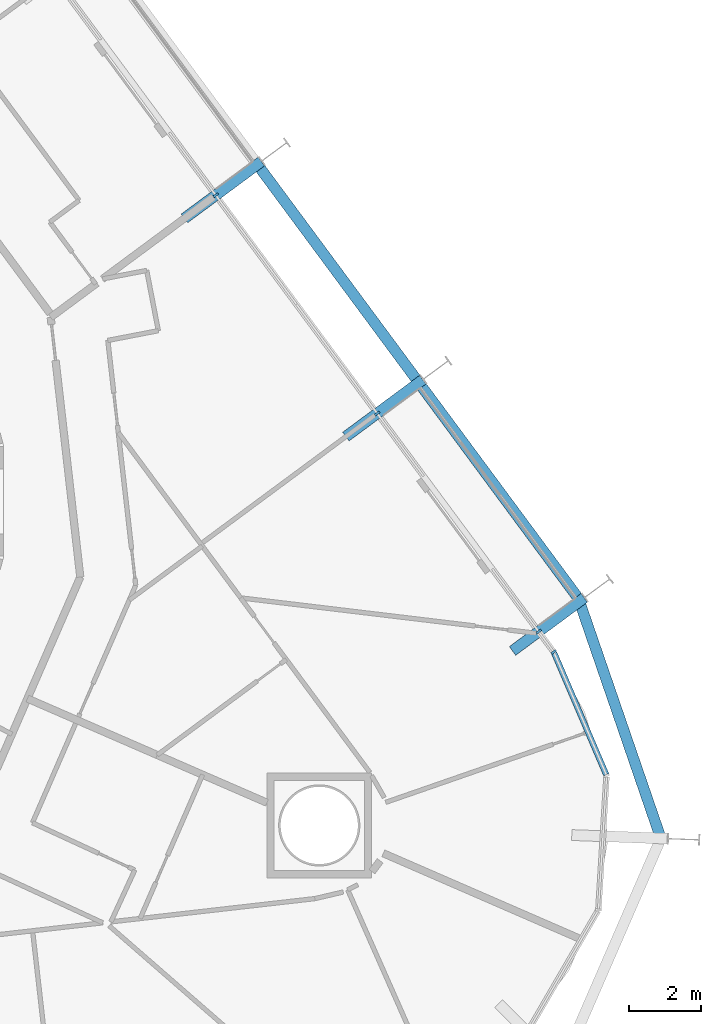
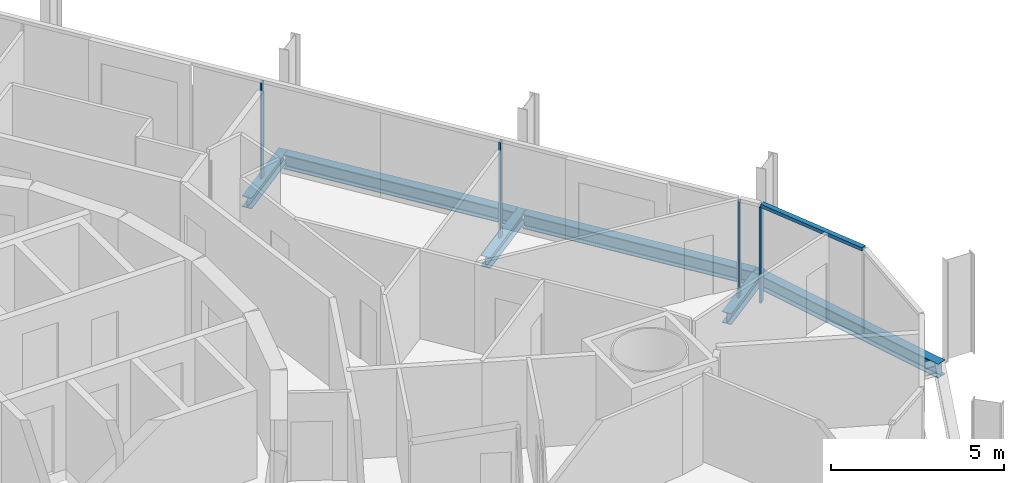
# One storey, part 8 of 24: 6 beams, 5 members, 2 elements without a shape of their own.
"""IFC4 building model written with IfcOpenShell, lengths in metres."""

from ifc_helpers import new_model, si_unit, direction, frame, origin, origin_2d, place, context, subcontext, project, spatial, rectangle, i_section, extrude, material, layer, layer_set, material_profile, profile_set, type_object, element, aggregate, save


model = new_model("IFC4")

# Units and contexts
model_context = context("Model", 3, precision=1e-05, world=origin(), true_north=direction((0.0, 1.0)))
body_context = subcontext(model_context, "Body", "Model", "MODEL_VIEW")
ifc_project = project(units=[si_unit("LENGTHUNIT", "METRE"), si_unit("AREAUNIT", "SQUARE_METRE"), si_unit("VOLUMEUNIT", "CUBIC_METRE"), si_unit("PLANEANGLEUNIT", "RADIAN"), si_unit("MASSUNIT", "GRAM", prefix="KILO")], contexts=[model_context])

# Site, building, storey
site_placement = place(None, origin())
site = spatial("IfcSite", under=ifc_project, at=site_placement, CompositionType="ELEMENT")
building_placement = place(site_placement, origin())
building = spatial("IfcBuilding", under=site, at=building_placement, Name="Spindle Arch Residences", CompositionType="ELEMENT")
storey_placement = place(building_placement, frame((0.0, 0.0, 87.199951171875)))
storey = spatial("IfcBuildingStorey", under=building, at=storey_placement, Name="L20", CompositionType="ELEMENT", Elevation=87.199951171875)

# Curtain wall, member
ifc_material_1 = material(Name="Aluminium bronze unitised frame with tinted glass", Category="aluminium")
ifc_layer_1 = layer(ifc_material_1, 0.159912109375)
ifc_layer_set_1 = layer_set([ifc_layer_1], Name="CW-D corner wall on the fillet arcs")
curtain_wall_type_1 = type_object("IfcCurtainWallType", Name="CW-D corner wall on the fillet arcs", PredefinedType="NOTDEFINED", material=ifc_layer_set_1)
curtain_wall_1_placement = place(storey_placement, origin())
curtain_wall_1 = element("IfcCurtainWall", 1, at=curtain_wall_1_placement, inside=storey, type_object=curtain_wall_type_1, Name="CW-D L20 run 1", PredefinedType="NOTDEFINED")
ifc_material_2 = material(Name="Aluminium bronze anodised mullion", Category="aluminium")
ifc_material_profile_1 = material_profile(ifc_material_2, rectangle(XDim=0.159912109375, YDim=0.06005859375, at=origin_2d()), Name="MU 60x160")
ifc_profile_set_1 = profile_set([ifc_material_profile_1], Name="Aluminium bronze anodised mullion")
member_type_1 = type_object("IfcMemberType", Name="Bronze mullion 60x160", PredefinedType="MULLION", material=ifc_profile_set_1)
member_1_placement = place(storey_placement, frame((27.142822265625, -4.171630859375, -0.3798828125), z_axis=(0.0, 0.0, 1.0), x_axis=(-0.803856860617, -0.594822786751, 0.0)))
member_1 = element("IfcMember", 2, at=member_1_placement, type_object=member_type_1, Name="CW-D mullion 05", PredefinedType="MULLION", context=body_context, shape_type="SweptSolid", body=[
    extrude(rectangle(XDim=0.159912109375, YDim=0.06005859375, at=origin_2d()), origin(), (0.0, 0.0, 1.0), 3.3798828125),
])

# Curtain wall, members
ifc_material_3 = material(Name="Aluminium bronze unitised frame with tinted glass", Category="aluminium")
ifc_layer_2 = layer(ifc_material_3, 0.159912109375)
ifc_layer_set_2 = layer_set([ifc_layer_2], Name="CW-C typical residential unitised wall")
curtain_wall_type_2 = type_object("IfcCurtainWallType", Name="CW-C typical residential unitised wall", PredefinedType="NOTDEFINED", material=ifc_layer_set_2)
curtain_wall_2_placement = place(storey_placement, origin())
curtain_wall_2 = element("IfcCurtainWall", 3, at=curtain_wall_2_placement, inside=storey, type_object=curtain_wall_type_2, Name="CW-C L20 run 2", PredefinedType="NOTDEFINED")
member_2_placement = place(storey_placement, frame((26.7255859375, -3.607666015625, -0.3798828125), z_axis=(0.0, 0.0, 1.0), x_axis=(-0.803856860617, -0.594822786751, 0.0)))
member_2 = element("IfcMember", 4, at=member_2_placement, type_object=member_type_1, Name="CW-C mullion 05", PredefinedType="MULLION", context=body_context, shape_type="SweptSolid", body=[
    extrude(rectangle(XDim=0.159912109375, YDim=0.06005859375, at=origin_2d()), origin(), (0.0, 0.0, 1.0), 3.3798828125),
])
member_3_placement = place(storey_placement, frame((22.253173828125, 2.436279296875, -0.3798828125), z_axis=(0.0, 0.0, 1.0), x_axis=(-0.803856860617, -0.594822786751, 0.0)))
member_3 = element("IfcMember", 5, at=member_3_placement, type_object=member_type_1, Name="CW-C mullion 06", PredefinedType="MULLION", context=body_context, shape_type="SweptSolid", body=[
    extrude(rectangle(XDim=0.159912109375, YDim=0.06005859375, at=origin_2d()), origin(), (0.0, 0.0, 1.0), 3.3798828125),
])
member_4_placement = place(storey_placement, frame((17.78076171875, 8.48046875, -0.3798828125), z_axis=(0.0, 0.0, 1.0), x_axis=(-0.803856860617, -0.594822786751, 0.0)))
member_4 = element("IfcMember", 6, at=member_4_placement, type_object=member_type_1, Name="CW-C mullion 07", PredefinedType="MULLION", context=body_context, shape_type="SweptSolid", body=[
    extrude(rectangle(XDim=0.159912109375, YDim=0.06005859375, at=origin_2d()), origin(), (0.0, 0.0, 1.0), 3.3798828125),
])
aggregate(curtain_wall_2, [member_2, member_3, member_4])

# Member
ifc_material_4 = material(Name="Aluminium bronze anodised transom", Category="aluminium")
ifc_material_profile_2 = material_profile(ifc_material_4, rectangle(XDim=0.159912109375, YDim=0.1201171875, at=origin_2d()), Name="TR 120x160")
ifc_profile_set_2 = profile_set([ifc_material_profile_2], Name="Aluminium bronze anodised transom")
member_type_2 = type_object("IfcMemberType", Name="Bronze transom 120x160", PredefinedType="USERDEFINED", material=ifc_profile_set_2)
member_5_placement = place(storey_placement, frame((28.59716796875, -7.5703125, 3.06005859375), z_axis=(-0.393429066236, 0.919354974882, 0.0), x_axis=(-0.919354974882, -0.393429066236, 0.0)))
member_5 = element("IfcMember", 7, at=member_5_placement, type_object=member_type_2, Name="CW-D transom 04", ObjectType="TRANSOM", PredefinedType="USERDEFINED", context=body_context, shape_type="SweptSolid", body=[
    extrude(rectangle(XDim=0.159912109375, YDim=0.1201171875, at=origin_2d()), origin(), (0.0, 0.0, 1.0), 3.666748046875),
])

aggregate(curtain_wall_1, [member_5, member_1])

# Beams
ifc_material_5 = material(Name="Steel S460ML, intumescent coating R 120", Category="steel")
ifc_material_profile_3 = material_profile(ifc_material_5, i_section(OverallWidth=0.300048828125, OverallDepth=0.5, WebThickness=0.014404296875, FlangeThickness=0.028076171875, FilletRadius=0.027099609375, at=origin_2d()), Name="HEB 500")
ifc_profile_set_3 = profile_set([ifc_material_profile_3], Name="Steel S460ML, intumescent coating R 120")
beam_type_1 = type_object("IfcBeamType", Name="Exoskeleton edge beam HEB 500", PredefinedType="BEAM", material=ifc_profile_set_3)
beam_1_placement = place(storey_placement, frame((30.13720703125, -9.4111328125, -0.6298828125), z_axis=(-0.325113431361, 0.94567502703, 0.0), x_axis=(-0.94567502703, -0.325113431361, 0.0)))
element("IfcBeam", 8, at=beam_1_placement, inside=storey, type_object=beam_type_1, Name="Exoskeleton edge beam 5", PredefinedType="BEAM", context=body_context, shape_type="SweptSolid", body=[
    extrude(i_section(OverallWidth=0.300048828125, OverallDepth=0.5, WebThickness=0.014404296875, FlangeThickness=0.028076171875, FilletRadius=0.027099609375, at=origin_2d()), origin(), (0.0, 0.0, 1.0), 7.09423828125),
])
for number, where, z_axis, x_axis, name in (
    (9, (27.800048828125, -2.65087890625, -0.6298828125), (-0.594821272041, 0.803857981441, 0.0), (-0.803857981441, -0.594821272041, 0.0), "Exoskeleton edge beam 6"),
    (10, (23.32763671875, 3.393310546875, -0.6298828125), (-0.594821272041, 0.803857981441, 0.0), (-0.803857981441, -0.594821272041, 0.0), "Exoskeleton edge beam 7"),
):
    element("IfcBeam", number, at=place(storey_placement, frame(where, z_axis=z_axis, x_axis=x_axis)), inside=storey, type_object=beam_type_1, Name=name, PredefinedType="BEAM", context=body_context, shape_type="SweptSolid", body=[
        extrude(i_section(OverallWidth=0.300048828125, OverallDepth=0.5, WebThickness=0.014404296875, FlangeThickness=0.028076171875, FilletRadius=0.027099609375, at=origin_2d()), origin(), (0.0, 0.0, 1.0), 7.2587890625),
    ])
ifc_material_6 = material(Name="Steel S460ML, intumescent coating R 120", Category="steel")
ifc_material_profile_4 = material_profile(ifc_material_6, i_section(OverallWidth=0.300048828125, OverallDepth=0.389892578125, WebThickness=0.010986328125, FlangeThickness=0.01904296875, FilletRadius=0.027099609375, at=origin_2d()), Name="HEA 400")
ifc_profile_set_4 = profile_set([ifc_material_profile_4], Name="Steel S460ML, intumescent coating R 120")
beam_type_2 = type_object("IfcBeamType", Name="Floor outrigger HEA 400", PredefinedType="BEAM", material=ifc_profile_set_4)
beam_2_placement = place(storey_placement, frame((27.987548828125, -2.673828125, -0.574951171875), z_axis=(-0.803824891941, -0.59486598751, 0.0), x_axis=(0.59486598751, -0.803824891941, 0.0)))
element("IfcBeam", 11, at=beam_2_placement, inside=storey, type_object=beam_type_2, Name="Floor outrigger 6", PredefinedType="BEAM", context=body_context, shape_type="SweptSolid", body=[
    extrude(i_section(OverallWidth=0.300048828125, OverallDepth=0.389892578125, WebThickness=0.010986328125, FlangeThickness=0.01904296875, FilletRadius=0.027099609375, at=origin_2d()), origin(), (0.0, 0.0, 1.0), 2.47119140625),
])
beam_3_placement = place(storey_placement, frame((23.51513671875, 3.3701171875, -0.574951171875), z_axis=(-0.803863925893, -0.59481323846, 0.0), x_axis=(0.59481323846, -0.803863925893, 0.0)))
element("IfcBeam", 12, at=beam_3_placement, inside=storey, type_object=beam_type_2, Name="Floor outrigger 7", PredefinedType="BEAM", context=body_context, shape_type="SweptSolid", body=[
    extrude(i_section(OverallWidth=0.300048828125, OverallDepth=0.389892578125, WebThickness=0.010986328125, FlangeThickness=0.01904296875, FilletRadius=0.027099609375, at=origin_2d()), origin(), (0.0, 0.0, 1.0), 2.64990234375),
])
beam_4_placement = place(storey_placement, frame((19.04296875, 9.414306640625, -0.574951171875), z_axis=(-0.80385247079, -0.594828719217, 0.0), x_axis=(0.594828719217, -0.80385247079, 0.0)))
element("IfcBeam", 13, at=beam_4_placement, inside=storey, type_object=beam_type_2, Name="Floor outrigger 8", PredefinedType="BEAM", context=body_context, shape_type="SweptSolid", body=[
    extrude(i_section(OverallWidth=0.300048828125, OverallDepth=0.389892578125, WebThickness=0.010986328125, FlangeThickness=0.01904296875, FilletRadius=0.027099609375, at=origin_2d()), origin(), (0.0, 0.0, 1.0), 2.650146484375),
])

save(model, "model.ifc")
